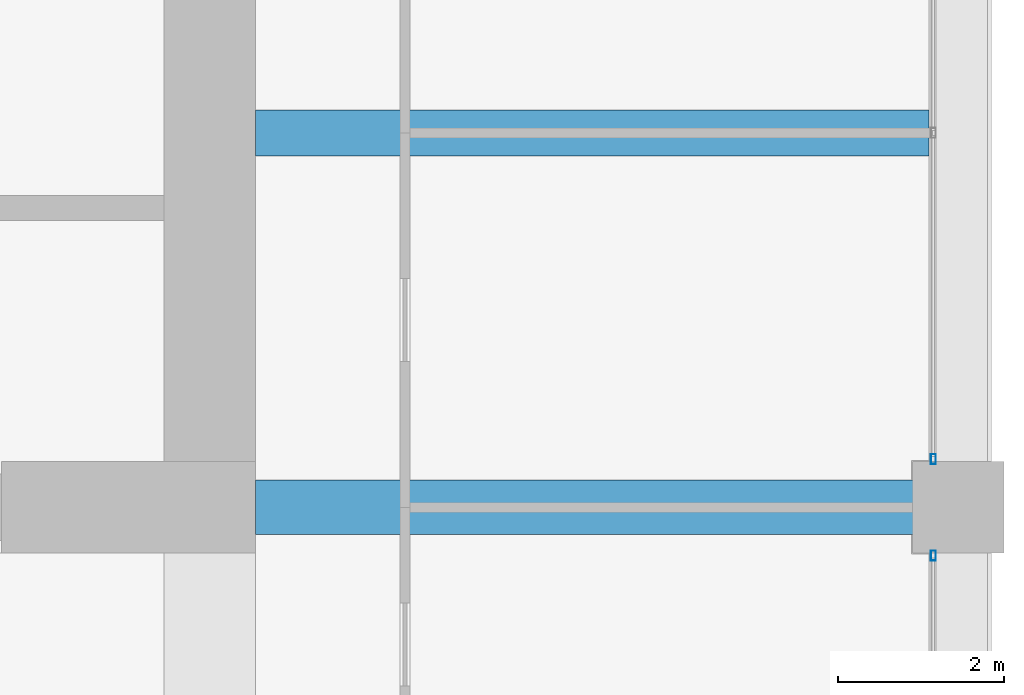
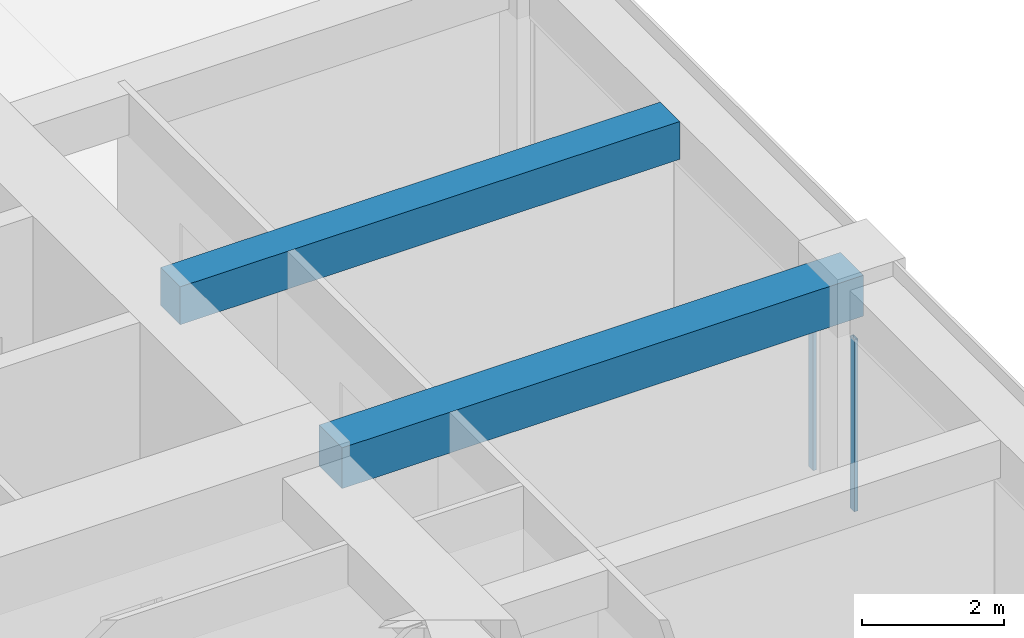
# One storey, part 24 of 44: 2 beams, 2 members, 2 elements without a shape of their own.
"""IFC4 building model written with IfcOpenShell, lengths in metres."""

from ifc_helpers import new_model, si_unit, direction, frame, origin, origin_2d, place, context, subcontext, project, spatial, rectangle, hollow_rectangle, extrude, material, material_profile, profile_set, type_object, element, aggregate, save


model = new_model("IFC4")

# Units and contexts
model_context = context("Model", 3, precision=1e-05, world=origin(), true_north=direction((0.0, 1.0)))
body_context = subcontext(model_context, "Body", "Model", "MODEL_VIEW")
ifc_project = project(units=[si_unit("LENGTHUNIT", "METRE"), si_unit("AREAUNIT", "SQUARE_METRE"), si_unit("VOLUMEUNIT", "CUBIC_METRE"), si_unit("PLANEANGLEUNIT", "RADIAN"), si_unit("MASSUNIT", "GRAM", prefix="KILO")], contexts=[model_context])

# Site, building, storey
site_placement = place(None, origin())
site = spatial("IfcSite", under=ifc_project, at=site_placement, CompositionType="ELEMENT")
building_placement = place(site_placement, origin())
building = spatial("IfcBuilding", under=site, at=building_placement, Name="Zorevar Civic Tower", CompositionType="ELEMENT")
storey_placement = place(building_placement, frame((0.0, 0.0, 267.39990234375)))
storey = spatial("IfcBuildingStorey", under=building, at=storey_placement, Name="L65", CompositionType="ELEMENT", Elevation=267.39990234375)

# Beams
ifc_material_1 = material(Name="Concrete C50/60", Category="concrete")
ifc_material_profile_1 = material_profile(ifc_material_1, rectangle(XDim=0.550048828125, YDim=0.64990234375, at=origin_2d()), Name="RC 550x650")
ifc_profile_set_1 = profile_set([ifc_material_profile_1], Name="Concrete C50/60")
beam_type_1 = type_object("IfcBeamType", Name="Beam RC 550x650", PredefinedType="BEAM", material=ifc_profile_set_1)
beam_1_placement = place(storey_placement, frame((45.550048828125, 22.5, 3.425048828125), z_axis=(1.0, 0.0, 0.0), x_axis=(0.0, 1.0, 0.0)))
element("IfcBeam", 1, at=beam_1_placement, inside=storey, type_object=beam_type_1, Name="Secondary beam L66", PredefinedType="BEAM", context=body_context, shape_type="SweptSolid", body=[
    extrude(rectangle(XDim=0.550048828125, YDim=0.64990234375, at=origin_2d()), origin(), (0.0, 0.0, 1.0), 8.099853515625),
])
ifc_material_2 = material(Name="Concrete C50/60", Category="concrete")
ifc_material_profile_2 = material_profile(ifc_material_2, rectangle(XDim=0.64990234375, YDim=0.699951171875, at=origin_2d()), Name="RC 650x700")
ifc_profile_set_2 = profile_set([ifc_material_profile_2], Name="Concrete C50/60")
beam_type_2 = type_object("IfcBeamType", Name="Beam RC 650x700", PredefinedType="BEAM", material=ifc_profile_set_2)
beam_2_placement = place(storey_placement, frame((45.550048828125, 18.0, 3.400146484375), z_axis=(1.0, 0.0, 0.0), x_axis=(0.0, 1.0, 0.0)))
element("IfcBeam", 2, at=beam_2_placement, inside=storey, type_object=beam_type_2, Name="Girder L66", PredefinedType="BEAM", context=body_context, shape_type="SweptSolid", body=[
    extrude(rectangle(XDim=0.64990234375, YDim=0.699951171875, at=origin_2d()), origin(), (0.0, 0.0, 1.0), 8.449951171875),
])

# Curtain wall, member
ifc_material_3 = material(Name="Dark grey solar-control glass in black aluminium frame", Category="aluminium")
curtain_wall_type = type_object("IfcCurtainWallType", Name="Curtain wall CW5 top zone", PredefinedType="NOTDEFINED", material=ifc_material_3)
curtain_wall_1_placement = place(storey_placement, origin())
curtain_wall_1 = element("IfcCurtainWall", 3, at=curtain_wall_1_placement, inside=storey, type_object=curtain_wall_type, Name="CW5 L65", PredefinedType="NOTDEFINED")
ifc_material_4 = material(Name="Aluminium, black anodised", Category="aluminium")
ifc_material_profile_3 = material_profile(ifc_material_4, hollow_rectangle(XDim=0.06005859375, YDim=0.1201171875, WallThickness=0.0029296875, at=origin_2d()), Name="AL 120x60x3")
ifc_profile_set_3 = profile_set([ifc_material_profile_3], Name="Aluminium, black anodised")
member_type = type_object("IfcMemberType", Name="CW5 mullion AL 120x60x3", PredefinedType="MULLION", material=ifc_profile_set_3)
member_1_placement = place(storey_placement, frame((53.699951171875, 17.419921875, 0.0), z_axis=(0.0, 0.0, 1.0), x_axis=(-1.0, 0.0, 0.0)))
member_1 = element("IfcMember", 4, at=member_1_placement, type_object=member_type, Name="CW5 mullion 3", PredefinedType="MULLION", context=body_context, shape_type="SweptSolid", body=[
    extrude(hollow_rectangle(XDim=0.06005859375, YDim=0.1201171875, WallThickness=0.0029296875, at=origin_2d()), origin(), (0.0, 0.0, 1.0), 2.9501953125),
])
aggregate(curtain_wall_1, [member_1])

curtain_wall_2_placement = place(storey_placement, origin())
curtain_wall_2 = element("IfcCurtainWall", 5, at=curtain_wall_2_placement, inside=storey, type_object=curtain_wall_type, Name="CW5 L65", PredefinedType="NOTDEFINED")
member_2_placement = place(storey_placement, frame((53.699951171875, 18.580078125, 0.0), z_axis=(0.0, 0.0, 1.0), x_axis=(-1.0, 0.0, 0.0)))
member_2 = element("IfcMember", 6, at=member_2_placement, type_object=member_type, Name="CW5 mullion 1", PredefinedType="MULLION", context=body_context, shape_type="SweptSolid", body=[
    extrude(hollow_rectangle(XDim=0.06005859375, YDim=0.1201171875, WallThickness=0.0029296875, at=origin_2d()), origin(), (0.0, 0.0, 1.0), 2.9501953125),
])
aggregate(curtain_wall_2, [member_2])

save(model, "model.ifc")
